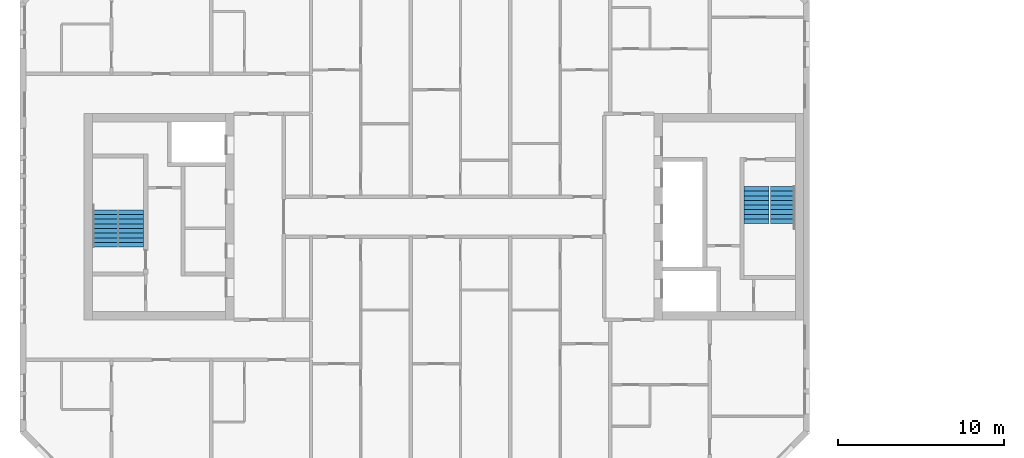
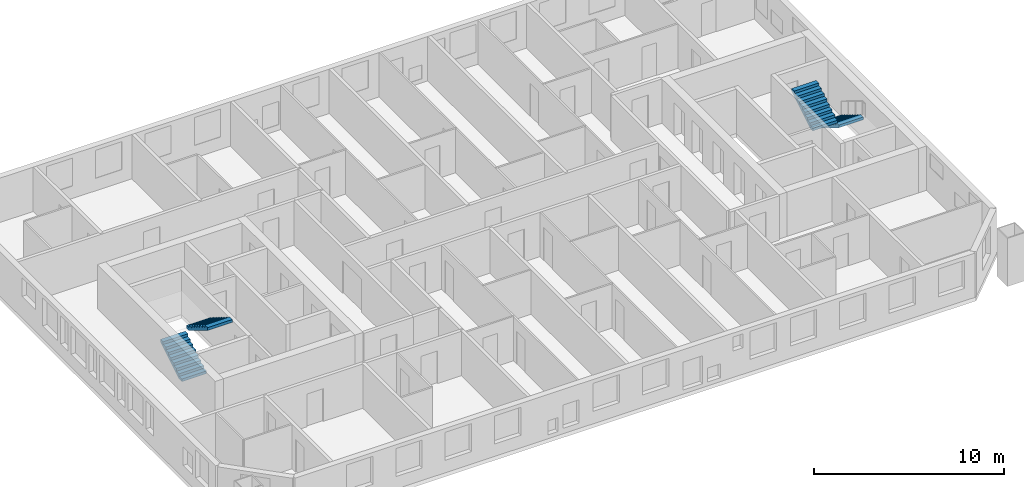
# One storey, part 14 of 15: 4 stair flights, 2 elements without a shape of their own.
"""IFC4 building model written with IfcOpenShell, lengths in metres."""

from ifc_helpers import new_model, si_unit, direction, frame, origin, place, context, subcontext, project, spatial, faceted_brep, material, type_object, element, aggregate, save


model = new_model("IFC4")

# Units and contexts
model_context = context("Model", 3, precision=1e-05, world=origin(), true_north=direction((0.0, 1.0)))
body_context = subcontext(model_context, "Body", "Model", "MODEL_VIEW")
ifc_project = project(units=[si_unit("LENGTHUNIT", "METRE"), si_unit("AREAUNIT", "SQUARE_METRE"), si_unit("VOLUMEUNIT", "CUBIC_METRE"), si_unit("PLANEANGLEUNIT", "RADIAN"), si_unit("MASSUNIT", "GRAM", prefix="KILO")], contexts=[model_context])

# Site, building, storey
site_placement = place(None, origin())
site = spatial("IfcSite", under=ifc_project, at=site_placement, CompositionType="ELEMENT")
building_placement = place(site_placement, origin())
building = spatial("IfcBuilding", under=site, at=building_placement, Name="Tuart Gate Housing", CompositionType="ELEMENT")
storey_placement = place(building_placement, frame((0.0, 0.0, 160.89990234375)))
storey = spatial("IfcBuildingStorey", under=building, at=storey_placement, Name="L45", CompositionType="ELEMENT", Elevation=160.89990234375)

# Stair, stair flights
ifc_material_1 = material(Name="Concrete C40", Category="concrete")
stair_type = type_object("IfcStairType", Name="Core stair 1500", PredefinedType="HALF_TURN_STAIR", material=ifc_material_1)
stair_1_placement = place(storey_placement, origin())
stair_1 = element("IfcStair", 1, at=stair_1_placement, inside=storey, type_object=stair_type, Name="Stair SA1", PredefinedType="HALF_TURN_STAIR")
ifc_material_2 = material(Name="Concrete C40", Category="concrete")
stair_flight_type = type_object("IfcStairFlightType", Name="Stair flight 1500, 9 risers 172 x 280", PredefinedType="STRAIGHT", material=ifc_material_2)
stair_flight_1_placement = place(storey_placement, frame((74.389892578125, 71.824951171875, 0.0), z_axis=(0.0, 0.0, 1.0), x_axis=(0.0, -1.0, 0.0)))
stair_flight_1 = element("IfcStairFlight", 2, at=stair_flight_1_placement, type_object=stair_flight_type, Name="SA1 flight 1", NumberOfRisers=9, NumberOfTreads=8, PredefinedType="STRAIGHT", RiserHeight=0.172222222, TreadLength=0.28, context=body_context, shape_type="Brep", body=[
    faceted_brep([(0.0, 0.75, 0.0), (0.0, 0.75, 0.172119140625), (0.280029296875, 0.75, 0.172119140625), (0.280029296875, 0.75, 0.344482421875), (0.56005859375, 0.75, 0.344482421875), (0.56005859375, 0.75, 0.5166015625), (0.840087890625, 0.75, 0.5166015625), (0.840087890625, 0.75, 0.68896484375), (1.1201171875, 0.75, 0.68896484375), (1.1201171875, 0.75, 0.861083984375), (1.39990234375, 0.75, 0.861083984375), (1.39990234375, 0.75, 1.033447265625), (1.679931640625, 0.75, 1.033447265625), (1.679931640625, 0.75, 1.20556640625), (1.9599609375, 0.75, 1.20556640625), (1.9599609375, 0.75, 1.377685546875), (2.239990234375, 0.75, 1.377685546875), (2.239990234375, 0.75, 1.201904296875), (0.2861328125, 0.75, 0.0), (0.2861328125, -0.75, 0.0), (2.239990234375, -0.75, 1.201904296875), (2.239990234375, -0.75, 1.377685546875), (1.9599609375, -0.75, 1.377685546875), (1.9599609375, -0.75, 1.20556640625), (1.679931640625, -0.75, 1.20556640625), (1.679931640625, -0.75, 1.033447265625), (1.39990234375, -0.75, 1.033447265625), (1.39990234375, -0.75, 0.861083984375), (1.1201171875, -0.75, 0.861083984375), (1.1201171875, -0.75, 0.68896484375), (0.840087890625, -0.75, 0.68896484375), (0.840087890625, -0.75, 0.5166015625), (0.56005859375, -0.75, 0.5166015625), (0.56005859375, -0.75, 0.344482421875), (0.280029296875, -0.75, 0.344482421875), (0.280029296875, -0.75, 0.172119140625), (0.0, -0.75, 0.172119140625), (0.0, -0.75, 0.0), (2.239990234375, 0.0, 1.201904296875), (0.2861328125, 0.0, 0.0), (2.239990234375, 0.0, 1.377685546875), (1.9599609375, 0.0, 1.377685546875), (1.9599609375, 0.0, 1.20556640625), (1.679931640625, 0.0, 1.20556640625), (1.679931640625, 0.0, 1.033447265625), (1.39990234375, 0.0, 1.033447265625), (1.39990234375, 0.0, 0.861083984375), (1.1201171875, 0.0, 0.861083984375), (1.1201171875, 0.0, 0.68896484375), (0.840087890625, 0.0, 0.68896484375), (0.840087890625, 0.0, 0.5166015625), (0.56005859375, 0.0, 0.5166015625), (0.56005859375, 0.0, 0.344482421875), (0.280029296875, 0.0, 0.344482421875), (0.280029296875, 0.0, 0.172119140625), (0.0, 0.0, 0.172119140625), (0.0, 0.0, 0.0)], [[[0, 1, 2, 3, 4, 5, 6, 7, 8, 9, 10, 11, 12, 13, 14, 15, 16, 17, 18]], [[19, 20, 21, 22, 23, 24, 25, 26, 27, 28, 29, 30, 31, 32, 33, 34, 35, 36, 37]], [[18, 17, 38, 39]], [[39, 38, 20, 19]], [[17, 16, 40, 38]], [[38, 40, 21, 20]], [[16, 15, 41, 40]], [[40, 41, 22, 21]], [[15, 14, 42, 41]], [[41, 42, 23, 22]], [[14, 13, 43, 42]], [[42, 43, 24, 23]], [[13, 12, 44, 43]], [[43, 44, 25, 24]], [[12, 11, 45, 44]], [[44, 45, 26, 25]], [[11, 10, 46, 45]], [[45, 46, 27, 26]], [[10, 9, 47, 46]], [[46, 47, 28, 27]], [[9, 8, 48, 47]], [[47, 48, 29, 28]], [[8, 7, 49, 48]], [[48, 49, 30, 29]], [[7, 6, 50, 49]], [[49, 50, 31, 30]], [[6, 5, 51, 50]], [[50, 51, 32, 31]], [[5, 4, 52, 51]], [[51, 52, 33, 32]], [[4, 3, 53, 52]], [[52, 53, 34, 33]], [[3, 2, 54, 53]], [[53, 54, 35, 34]], [[2, 1, 55, 54]], [[54, 55, 36, 35]], [[1, 0, 56, 55]], [[55, 56, 37, 36]], [[0, 18, 39, 56]], [[56, 39, 19, 37]]]),
])
stair_flight_2_placement = place(storey_placement, frame((72.81494140625, 69.5849609375, 1.550048828125), z_axis=(0.0, 0.0, 1.0), x_axis=(0.0, 1.0, 0.0)))
stair_flight_2 = element("IfcStairFlight", 3, at=stair_flight_2_placement, type_object=stair_flight_type, Name="SA1 flight 2", NumberOfRisers=9, NumberOfTreads=8, PredefinedType="STRAIGHT", RiserHeight=0.172222222, TreadLength=0.28, context=body_context, shape_type="Brep", body=[
    faceted_brep([(0.0, 0.75, 0.0), (0.0, 0.75, 0.172119140625), (0.280029296875, 0.75, 0.172119140625), (0.280029296875, 0.75, 0.344482421875), (0.56005859375, 0.75, 0.344482421875), (0.56005859375, 0.75, 0.5166015625), (0.840087890625, 0.75, 0.5166015625), (0.840087890625, 0.75, 0.68896484375), (1.1201171875, 0.75, 0.68896484375), (1.1201171875, 0.75, 0.861083984375), (1.39990234375, 0.75, 0.861083984375), (1.39990234375, 0.75, 1.033447265625), (1.679931640625, 0.75, 1.033447265625), (1.679931640625, 0.75, 1.20556640625), (1.9599609375, 0.75, 1.20556640625), (1.9599609375, 0.75, 1.377685546875), (2.239990234375, 0.75, 1.377685546875), (2.239990234375, 0.75, 1.201904296875), (0.2861328125, 0.75, 0.0), (0.2861328125, -0.75, 0.0), (2.239990234375, -0.75, 1.201904296875), (2.239990234375, -0.75, 1.377685546875), (1.9599609375, -0.75, 1.377685546875), (1.9599609375, -0.75, 1.20556640625), (1.679931640625, -0.75, 1.20556640625), (1.679931640625, -0.75, 1.033447265625), (1.39990234375, -0.75, 1.033447265625), (1.39990234375, -0.75, 0.861083984375), (1.1201171875, -0.75, 0.861083984375), (1.1201171875, -0.75, 0.68896484375), (0.840087890625, -0.75, 0.68896484375), (0.840087890625, -0.75, 0.5166015625), (0.56005859375, -0.75, 0.5166015625), (0.56005859375, -0.75, 0.344482421875), (0.280029296875, -0.75, 0.344482421875), (0.280029296875, -0.75, 0.172119140625), (0.0, -0.75, 0.172119140625), (0.0, -0.75, 0.0), (2.239990234375, 0.0, 1.201904296875), (0.2861328125, 0.0, 0.0), (2.239990234375, 0.0, 1.377685546875), (1.9599609375, 0.0, 1.377685546875), (1.9599609375, 0.0, 1.20556640625), (1.679931640625, 0.0, 1.20556640625), (1.679931640625, 0.0, 1.033447265625), (1.39990234375, 0.0, 1.033447265625), (1.39990234375, 0.0, 0.861083984375), (1.1201171875, 0.0, 0.861083984375), (1.1201171875, 0.0, 0.68896484375), (0.840087890625, 0.0, 0.68896484375), (0.840087890625, 0.0, 0.5166015625), (0.56005859375, 0.0, 0.5166015625), (0.56005859375, 0.0, 0.344482421875), (0.280029296875, 0.0, 0.344482421875), (0.280029296875, 0.0, 0.172119140625), (0.0, 0.0, 0.172119140625), (0.0, 0.0, 0.0)], [[[0, 1, 2, 3, 4, 5, 6, 7, 8, 9, 10, 11, 12, 13, 14, 15, 16, 17, 18]], [[19, 20, 21, 22, 23, 24, 25, 26, 27, 28, 29, 30, 31, 32, 33, 34, 35, 36, 37]], [[18, 17, 38, 39]], [[39, 38, 20, 19]], [[17, 16, 40, 38]], [[38, 40, 21, 20]], [[16, 15, 41, 40]], [[40, 41, 22, 21]], [[15, 14, 42, 41]], [[41, 42, 23, 22]], [[14, 13, 43, 42]], [[42, 43, 24, 23]], [[13, 12, 44, 43]], [[43, 44, 25, 24]], [[12, 11, 45, 44]], [[44, 45, 26, 25]], [[11, 10, 46, 45]], [[45, 46, 27, 26]], [[10, 9, 47, 46]], [[46, 47, 28, 27]], [[9, 8, 48, 47]], [[47, 48, 29, 28]], [[8, 7, 49, 48]], [[48, 49, 30, 29]], [[7, 6, 50, 49]], [[49, 50, 31, 30]], [[6, 5, 51, 50]], [[50, 51, 32, 31]], [[5, 4, 52, 51]], [[51, 52, 33, 32]], [[4, 3, 53, 52]], [[52, 53, 34, 33]], [[3, 2, 54, 53]], [[53, 54, 35, 34]], [[2, 1, 55, 54]], [[54, 55, 36, 35]], [[1, 0, 56, 55]], [[55, 56, 37, 36]], [[0, 18, 39, 56]], [[56, 39, 19, 37]]]),
])
aggregate(stair_1, [stair_flight_1, stair_flight_2])

stair_2_placement = place(storey_placement, origin())
stair_2 = element("IfcStair", 4, at=stair_2_placement, inside=storey, type_object=stair_type, Name="Stair SA2", PredefinedType="HALF_TURN_STAIR")
stair_flight_3_placement = place(storey_placement, frame((33.610107421875, 68.175048828125, 0.0), z_axis=(0.0, 0.0, 1.0), x_axis=(0.0, 1.0, 0.0)))
stair_flight_3 = element("IfcStairFlight", 5, at=stair_flight_3_placement, type_object=stair_flight_type, Name="SA2 flight 1", NumberOfRisers=9, NumberOfTreads=8, PredefinedType="STRAIGHT", RiserHeight=0.172222222, TreadLength=0.28, context=body_context, shape_type="Brep", body=[
    faceted_brep([(0.0, 0.75, 0.0), (0.0, 0.75, 0.172119140625), (0.280029296875, 0.75, 0.172119140625), (0.280029296875, 0.75, 0.344482421875), (0.56005859375, 0.75, 0.344482421875), (0.56005859375, 0.75, 0.5166015625), (0.840087890625, 0.75, 0.5166015625), (0.840087890625, 0.75, 0.68896484375), (1.1201171875, 0.75, 0.68896484375), (1.1201171875, 0.75, 0.861083984375), (1.39990234375, 0.75, 0.861083984375), (1.39990234375, 0.75, 1.033447265625), (1.679931640625, 0.75, 1.033447265625), (1.679931640625, 0.75, 1.20556640625), (1.9599609375, 0.75, 1.20556640625), (1.9599609375, 0.75, 1.377685546875), (2.239990234375, 0.75, 1.377685546875), (2.239990234375, 0.75, 1.201904296875), (0.2861328125, 0.75, 0.0), (0.2861328125, -0.75, 0.0), (2.239990234375, -0.75, 1.201904296875), (2.239990234375, -0.75, 1.377685546875), (1.9599609375, -0.75, 1.377685546875), (1.9599609375, -0.75, 1.20556640625), (1.679931640625, -0.75, 1.20556640625), (1.679931640625, -0.75, 1.033447265625), (1.39990234375, -0.75, 1.033447265625), (1.39990234375, -0.75, 0.861083984375), (1.1201171875, -0.75, 0.861083984375), (1.1201171875, -0.75, 0.68896484375), (0.840087890625, -0.75, 0.68896484375), (0.840087890625, -0.75, 0.5166015625), (0.56005859375, -0.75, 0.5166015625), (0.56005859375, -0.75, 0.344482421875), (0.280029296875, -0.75, 0.344482421875), (0.280029296875, -0.75, 0.172119140625), (0.0, -0.75, 0.172119140625), (0.0, -0.75, 0.0), (2.239990234375, 0.0, 1.201904296875), (0.2861328125, 0.0, 0.0), (2.239990234375, 0.0, 1.377685546875), (1.9599609375, 0.0, 1.377685546875), (1.9599609375, 0.0, 1.20556640625), (1.679931640625, 0.0, 1.20556640625), (1.679931640625, 0.0, 1.033447265625), (1.39990234375, 0.0, 1.033447265625), (1.39990234375, 0.0, 0.861083984375), (1.1201171875, 0.0, 0.861083984375), (1.1201171875, 0.0, 0.68896484375), (0.840087890625, 0.0, 0.68896484375), (0.840087890625, 0.0, 0.5166015625), (0.56005859375, 0.0, 0.5166015625), (0.56005859375, 0.0, 0.344482421875), (0.280029296875, 0.0, 0.344482421875), (0.280029296875, 0.0, 0.172119140625), (0.0, 0.0, 0.172119140625), (0.0, 0.0, 0.0)], [[[0, 1, 2, 3, 4, 5, 6, 7, 8, 9, 10, 11, 12, 13, 14, 15, 16, 17, 18]], [[19, 20, 21, 22, 23, 24, 25, 26, 27, 28, 29, 30, 31, 32, 33, 34, 35, 36, 37]], [[18, 17, 38, 39]], [[39, 38, 20, 19]], [[17, 16, 40, 38]], [[38, 40, 21, 20]], [[16, 15, 41, 40]], [[40, 41, 22, 21]], [[15, 14, 42, 41]], [[41, 42, 23, 22]], [[14, 13, 43, 42]], [[42, 43, 24, 23]], [[13, 12, 44, 43]], [[43, 44, 25, 24]], [[12, 11, 45, 44]], [[44, 45, 26, 25]], [[11, 10, 46, 45]], [[45, 46, 27, 26]], [[10, 9, 47, 46]], [[46, 47, 28, 27]], [[9, 8, 48, 47]], [[47, 48, 29, 28]], [[8, 7, 49, 48]], [[48, 49, 30, 29]], [[7, 6, 50, 49]], [[49, 50, 31, 30]], [[6, 5, 51, 50]], [[50, 51, 32, 31]], [[5, 4, 52, 51]], [[51, 52, 33, 32]], [[4, 3, 53, 52]], [[52, 53, 34, 33]], [[3, 2, 54, 53]], [[53, 54, 35, 34]], [[2, 1, 55, 54]], [[54, 55, 36, 35]], [[1, 0, 56, 55]], [[55, 56, 37, 36]], [[0, 18, 39, 56]], [[56, 39, 19, 37]]]),
])
stair_flight_4_placement = place(storey_placement, frame((35.18505859375, 70.4150390625, 1.550048828125), z_axis=(0.0, 0.0, 1.0), x_axis=(0.0, -1.0, 0.0)))
stair_flight_4 = element("IfcStairFlight", 6, at=stair_flight_4_placement, type_object=stair_flight_type, Name="SA2 flight 2", NumberOfRisers=9, NumberOfTreads=8, PredefinedType="STRAIGHT", RiserHeight=0.172222222, TreadLength=0.28, context=body_context, shape_type="Brep", body=[
    faceted_brep([(0.0, 0.75, 0.0), (0.0, 0.75, 0.172119140625), (0.280029296875, 0.75, 0.172119140625), (0.280029296875, 0.75, 0.344482421875), (0.56005859375, 0.75, 0.344482421875), (0.56005859375, 0.75, 0.5166015625), (0.840087890625, 0.75, 0.5166015625), (0.840087890625, 0.75, 0.68896484375), (1.1201171875, 0.75, 0.68896484375), (1.1201171875, 0.75, 0.861083984375), (1.39990234375, 0.75, 0.861083984375), (1.39990234375, 0.75, 1.033447265625), (1.679931640625, 0.75, 1.033447265625), (1.679931640625, 0.75, 1.20556640625), (1.9599609375, 0.75, 1.20556640625), (1.9599609375, 0.75, 1.377685546875), (2.239990234375, 0.75, 1.377685546875), (2.239990234375, 0.75, 1.201904296875), (0.2861328125, 0.75, 0.0), (0.2861328125, -0.75, 0.0), (2.239990234375, -0.75, 1.201904296875), (2.239990234375, -0.75, 1.377685546875), (1.9599609375, -0.75, 1.377685546875), (1.9599609375, -0.75, 1.20556640625), (1.679931640625, -0.75, 1.20556640625), (1.679931640625, -0.75, 1.033447265625), (1.39990234375, -0.75, 1.033447265625), (1.39990234375, -0.75, 0.861083984375), (1.1201171875, -0.75, 0.861083984375), (1.1201171875, -0.75, 0.68896484375), (0.840087890625, -0.75, 0.68896484375), (0.840087890625, -0.75, 0.5166015625), (0.56005859375, -0.75, 0.5166015625), (0.56005859375, -0.75, 0.344482421875), (0.280029296875, -0.75, 0.344482421875), (0.280029296875, -0.75, 0.172119140625), (0.0, -0.75, 0.172119140625), (0.0, -0.75, 0.0), (2.239990234375, 0.0, 1.201904296875), (0.2861328125, 0.0, 0.0), (2.239990234375, 0.0, 1.377685546875), (1.9599609375, 0.0, 1.377685546875), (1.9599609375, 0.0, 1.20556640625), (1.679931640625, 0.0, 1.20556640625), (1.679931640625, 0.0, 1.033447265625), (1.39990234375, 0.0, 1.033447265625), (1.39990234375, 0.0, 0.861083984375), (1.1201171875, 0.0, 0.861083984375), (1.1201171875, 0.0, 0.68896484375), (0.840087890625, 0.0, 0.68896484375), (0.840087890625, 0.0, 0.5166015625), (0.56005859375, 0.0, 0.5166015625), (0.56005859375, 0.0, 0.344482421875), (0.280029296875, 0.0, 0.344482421875), (0.280029296875, 0.0, 0.172119140625), (0.0, 0.0, 0.172119140625), (0.0, 0.0, 0.0)], [[[0, 1, 2, 3, 4, 5, 6, 7, 8, 9, 10, 11, 12, 13, 14, 15, 16, 17, 18]], [[19, 20, 21, 22, 23, 24, 25, 26, 27, 28, 29, 30, 31, 32, 33, 34, 35, 36, 37]], [[18, 17, 38, 39]], [[39, 38, 20, 19]], [[17, 16, 40, 38]], [[38, 40, 21, 20]], [[16, 15, 41, 40]], [[40, 41, 22, 21]], [[15, 14, 42, 41]], [[41, 42, 23, 22]], [[14, 13, 43, 42]], [[42, 43, 24, 23]], [[13, 12, 44, 43]], [[43, 44, 25, 24]], [[12, 11, 45, 44]], [[44, 45, 26, 25]], [[11, 10, 46, 45]], [[45, 46, 27, 26]], [[10, 9, 47, 46]], [[46, 47, 28, 27]], [[9, 8, 48, 47]], [[47, 48, 29, 28]], [[8, 7, 49, 48]], [[48, 49, 30, 29]], [[7, 6, 50, 49]], [[49, 50, 31, 30]], [[6, 5, 51, 50]], [[50, 51, 32, 31]], [[5, 4, 52, 51]], [[51, 52, 33, 32]], [[4, 3, 53, 52]], [[52, 53, 34, 33]], [[3, 2, 54, 53]], [[53, 54, 35, 34]], [[2, 1, 55, 54]], [[54, 55, 36, 35]], [[1, 0, 56, 55]], [[55, 56, 37, 36]], [[0, 18, 39, 56]], [[56, 39, 19, 37]]]),
])
aggregate(stair_2, [stair_flight_3, stair_flight_4])

save(model, "model.ifc")
